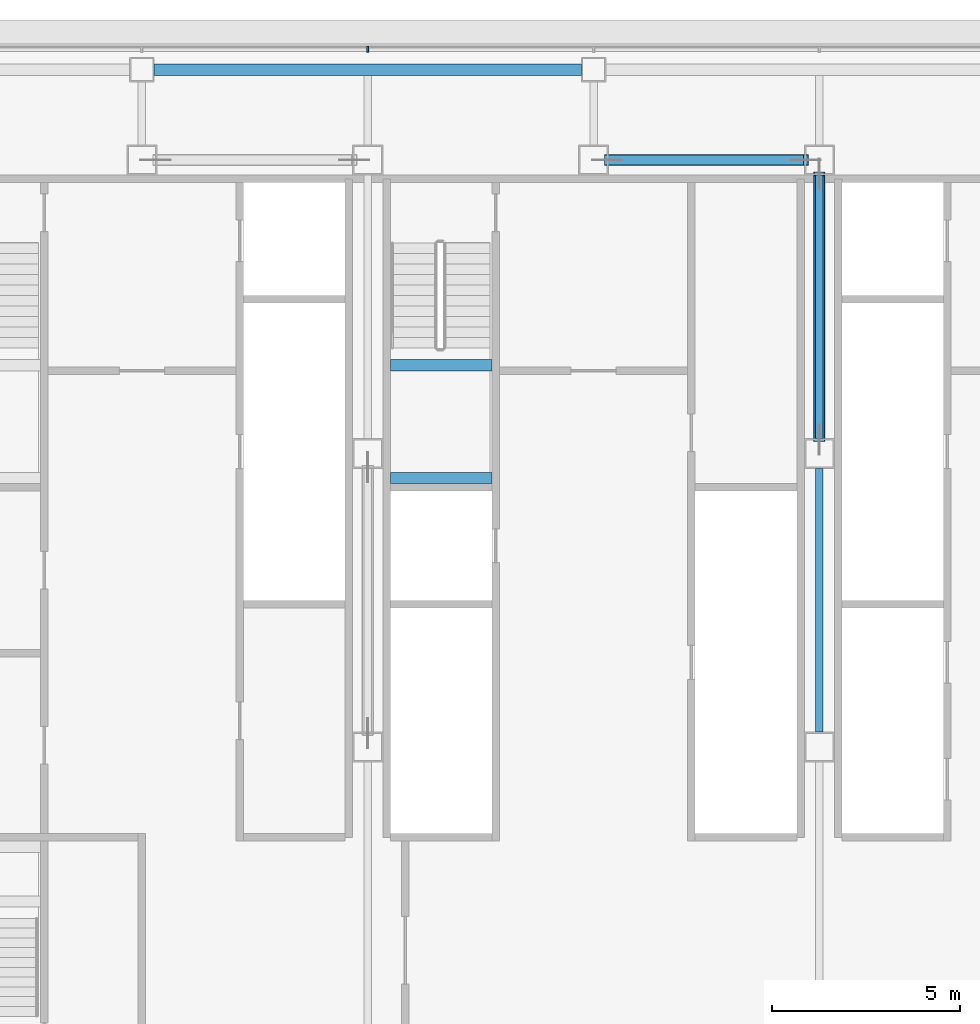
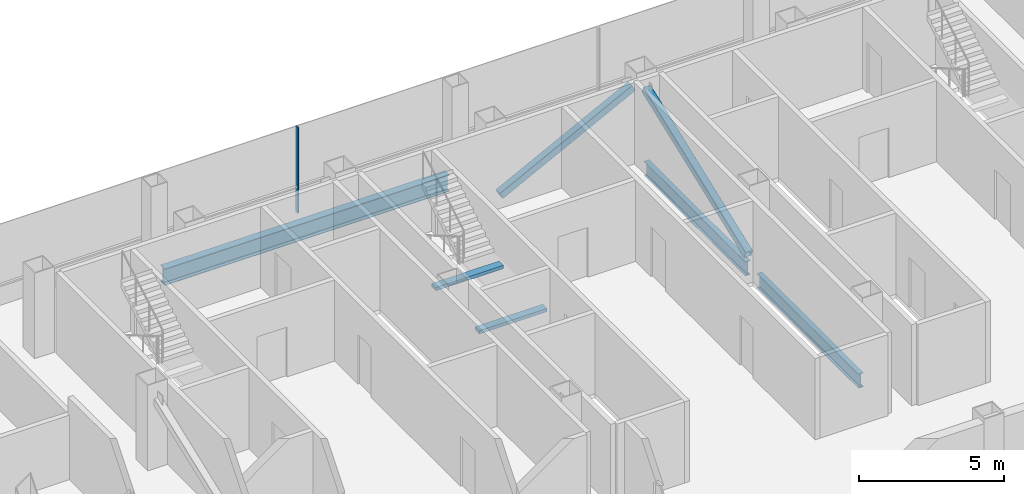
# One storey, part 13 of 26: 5 beams, 3 members, 1 element without a shape of its own.
"""IFC4 building model written with IfcOpenShell, lengths in metres."""

from ifc_helpers import new_model, si_unit, direction, frame, origin, origin_2d, place, context, subcontext, project, spatial, rectangle, hollow_rectangle, i_section, extrude, material, material_profile, profile_set, type_object, element, aggregate, save


model = new_model("IFC4")

# Units and contexts
model_context = context("Model", 3, precision=1e-05, world=origin(), true_north=direction((0.0, 1.0)))
body_context = subcontext(model_context, "Body", "Model", "MODEL_VIEW")
ifc_project = project(units=[si_unit("LENGTHUNIT", "METRE"), si_unit("AREAUNIT", "SQUARE_METRE"), si_unit("VOLUMEUNIT", "CUBIC_METRE"), si_unit("PLANEANGLEUNIT", "RADIAN"), si_unit("MASSUNIT", "GRAM", prefix="KILO")], contexts=[model_context])

# Site, building, storey
site_placement = place(None, origin())
site = spatial("IfcSite", under=ifc_project, at=site_placement, CompositionType="ELEMENT")
building_placement = place(site_placement, origin())
building = spatial("IfcBuilding", under=site, at=building_placement, Name="Sorahane Residences", CompositionType="ELEMENT")
storey_placement = place(building_placement, frame((0.0, 0.0, 215.39990234375)))
storey = spatial("IfcBuildingStorey", under=building, at=storey_placement, Name="L50", CompositionType="ELEMENT", Elevation=215.39990234375)

# Members
ifc_material_1 = material(Name="Steel Q355B", Category="steel")
ifc_material_profile_1 = material_profile(ifc_material_1, hollow_rectangle(XDim=0.300048828125, YDim=0.300048828125, WallThickness=0.01611328125, InnerFilletRadius=0.008056640625, OuterFilletRadius=0.02392578125, at=origin_2d()), Name="RHS 300x300x16")
ifc_profile_set_1 = profile_set([ifc_material_profile_1], Name="Steel Q355B")
member_type_1 = type_object("IfcMemberType", Name="Core brace RHS 300x300x16 Q355B", PredefinedType="BRACE", material=ifc_profile_set_1)
member_1_placement = place(storey_placement, frame((24.35888671875, 45.60009765625, 0.12890625), z_axis=(0.889573339852, 0.0, 0.456792374087), x_axis=(0.0, 1.0, 0.0)))
element("IfcMember", 1, at=member_1_placement, inside=storey, type_object=member_type_1, Name="Core brace L50 y45.6-4", PredefinedType="BRACE", context=body_context, shape_type="SweptSolid", body=[
    extrude(hollow_rectangle(XDim=0.300048828125, YDim=0.300048828125, WallThickness=0.01611328125, InnerFilletRadius=0.008056640625, OuterFilletRadius=0.02392578125, at=origin_2d()), origin(), (0.0, 0.0, 1.0), 5.93798828125),
])
member_2_placement = place(storey_placement, frame((30.0, 38.16796875, 0.137939453125), z_axis=(0.0, 0.934346475268, 0.35636591329), x_axis=(-1.0, 0.0, 0.0)))
element("IfcMember", 2, at=member_2_placement, inside=storey, type_object=member_type_1, Name="Core brace L50 x30-2", PredefinedType="BRACE", context=body_context, shape_type="SweptSolid", body=[
    extrude(hollow_rectangle(XDim=0.300048828125, YDim=0.300048828125, WallThickness=0.01611328125, InnerFilletRadius=0.008056640625, OuterFilletRadius=0.02392578125, at=origin_2d()), origin(), (0.0, 0.0, 1.0), 7.560546875),
])

# Curtain wall, member
ifc_material_2 = material(Name="Dark low-e glass and black anodised aluminium", Category="aluminium")
curtain_wall_type = type_object("IfcCurtainWallType", Name="Curtain wall CW-1 Typical unitised wall", PredefinedType="NOTDEFINED", material=ifc_material_2)
curtain_wall_placement = place(storey_placement, origin())
curtain_wall = element("IfcCurtainWall", 3, at=curtain_wall_placement, inside=storey, type_object=curtain_wall_type, Name="CW-1 curtain wall L50 N1", PredefinedType="NOTDEFINED")
ifc_material_3 = material(Name="Black anodised aluminium", Category="aluminium")
ifc_material_profile_2 = material_profile(ifc_material_3, rectangle(XDim=0.159912109375, YDim=0.050048828125, at=origin_2d()), Name="Curtain wall mullion CW-1 black anodised aluminium 50x160")
ifc_profile_set_2 = profile_set([ifc_material_profile_2], Name="Black anodised aluminium")
member_type_2 = type_object("IfcMemberType", Name="Curtain wall mullion CW-1 black anodised aluminium 50x160", PredefinedType="MULLION", material=ifc_profile_set_2)
member_3_placement = place(storey_placement, frame((18.0, 48.5400390625, -0.179931640625), z_axis=(0.0, 0.0, 1.0), x_axis=(0.0, 1.0, 0.0)))
member_3 = element("IfcMember", 4, at=member_3_placement, type_object=member_type_2, Name="CW-1 mullion L50 N1.6", PredefinedType="MULLION", context=body_context, shape_type="SweptSolid", body=[
    extrude(rectangle(XDim=0.159912109375, YDim=0.050048828125, at=origin_2d()), origin(), (0.0, 0.0, 1.0), 3.60009765625),
])
aggregate(curtain_wall, [member_3])

# Beams
ifc_material_4 = material(Name="Concrete C40", Category="concrete")
ifc_material_profile_3 = material_profile(ifc_material_4, rectangle(XDim=0.300048828125, YDim=0.139892578125, at=origin_2d()), Name="300x140")
ifc_profile_set_3 = profile_set([ifc_material_profile_3], Name="Concrete C40")
beam_type_1 = type_object("IfcBeamType", Name="RC landing beam 300 x 140 Concrete C40", PredefinedType="BEAM", material=ifc_profile_set_3)
for number, where, z_axis, x_axis, name in (
    (5, (18.60009765625, 37.14990234375, 1.530029296875), (1.0, 0.0, 0.0), (0.0, 1.0, 0.0), "Landing beam"),
    (6, (18.60009765625, 40.14990234375, 1.530029296875), (1.0, 0.0, 0.0), (0.0, 1.0, 0.0), "Landing beam"),
):
    element("IfcBeam", number, at=place(storey_placement, frame(where, z_axis=z_axis, x_axis=x_axis)), inside=storey, type_object=beam_type_1, Name=name, PredefinedType="BEAM", context=body_context, shape_type="SweptSolid", body=[
        extrude(rectangle(XDim=0.300048828125, YDim=0.139892578125, at=origin_2d()), origin(), (0.0, 0.0, 1.0), 2.699951171875),
    ])
ifc_material_5 = material(Name="Steel Q355B", Category="steel")
ifc_material_profile_4 = material_profile(ifc_material_5, i_section(OverallWidth=0.199951171875, OverallDepth=0.60009765625, WebThickness=0.010986328125, FlangeThickness=0.01708984375, FilletRadius=0.02392578125, at=origin_2d()), Name="HN 600x200x11x17")
ifc_profile_set_4 = profile_set([ifc_material_profile_4], Name="Steel Q355B")
beam_type_2 = type_object("IfcBeamType", Name="Steel floor beam HN 600x200x11x17 Q355B", PredefinedType="BEAM", material=ifc_profile_set_4)
for number, where, z_axis, x_axis, name in (
    (7, (30.0, 30.39990234375, -0.47998046875), (0.0, 1.0, 0.0), (-1.0, 0.0, 0.0), "Beam L50 047"),
    (8, (30.0, 38.199951171875, -0.47998046875), (0.0, 1.0, 0.0), (-1.0, 0.0, 0.0), "Beam L50 048"),
):
    element("IfcBeam", number, at=place(storey_placement, frame(where, z_axis=z_axis, x_axis=x_axis)), inside=storey, type_object=beam_type_2, Name=name, PredefinedType="BEAM", context=body_context, shape_type="SweptSolid", body=[
        extrude(i_section(OverallWidth=0.199951171875, OverallDepth=0.60009765625, WebThickness=0.010986328125, FlangeThickness=0.01708984375, FilletRadius=0.02392578125, at=origin_2d()), origin(), (0.0, 0.0, 1.0), 7.0),
    ])
ifc_material_6 = material(Name="Steel Q355B", Category="steel")
ifc_material_profile_5 = material_profile(ifc_material_6, i_section(OverallWidth=0.300048828125, OverallDepth=0.699951171875, WebThickness=0.012939453125, FlangeThickness=0.02392578125, FilletRadius=0.028076171875, at=origin_2d()), Name="HN 700x300x13x24")
ifc_profile_set_5 = profile_set([ifc_material_profile_5], Name="Steel Q355B")
beam_type_3 = type_object("IfcBeamType", Name="Steel floor beam HN 700x300x13x24 Q355B", PredefinedType="BEAM", material=ifc_profile_set_5)
beam_placement = place(storey_placement, frame((12.324951171875, 48.0, -0.52978515625), z_axis=(1.0, 0.0, 0.0), x_axis=(0.0, 1.0, 0.0)))
element("IfcBeam", 9, at=beam_placement, inside=storey, type_object=beam_type_3, Name="Beam L50 017", PredefinedType="BEAM", context=body_context, shape_type="SweptSolid", body=[
    extrude(i_section(OverallWidth=0.300048828125, OverallDepth=0.699951171875, WebThickness=0.012939453125, FlangeThickness=0.02392578125, FilletRadius=0.028076171875, at=origin_2d()), origin(), (0.0, 0.0, 1.0), 11.35009765625),
])

save(model, "model.ifc")
